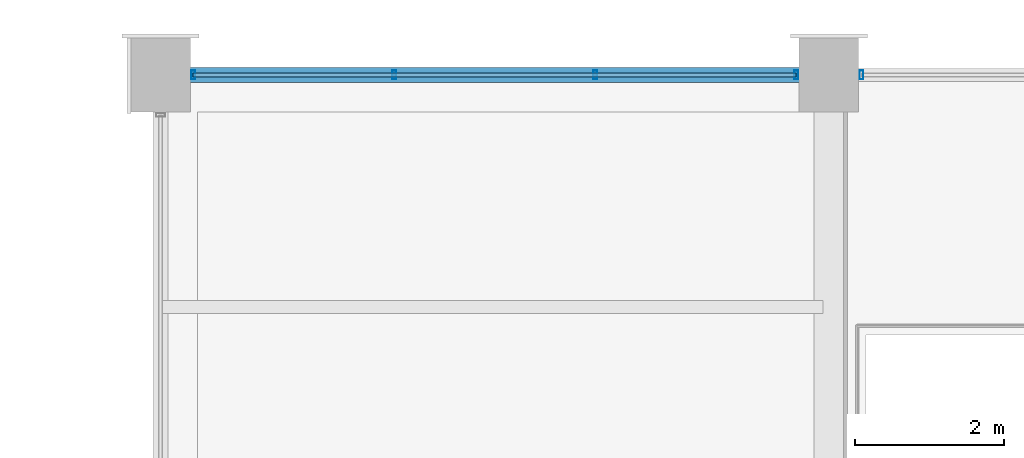
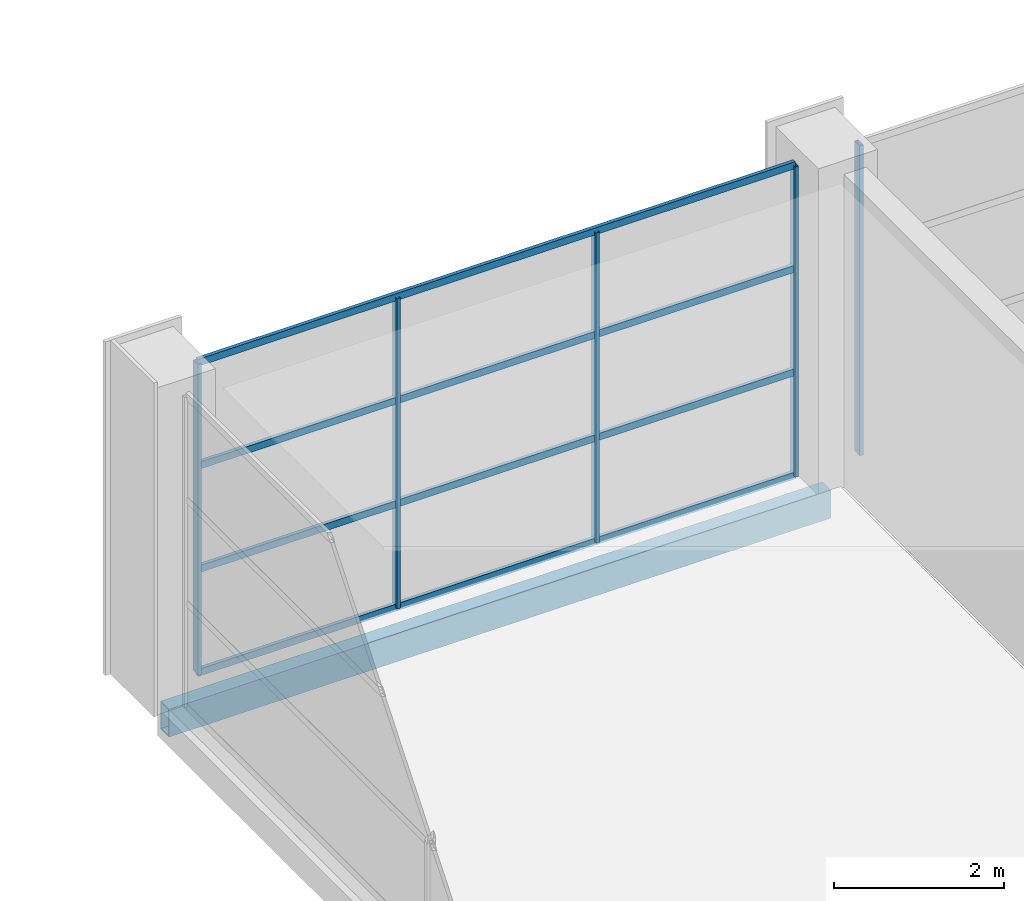
# One storey, part 81 of 112: 9 members, 1 beam, 2 elements without a shape of their own.
"""IFC4 building model written with IfcOpenShell, lengths in metres."""

from ifc_helpers import new_model, si_unit, direction, frame, origin, origin_2d, place, context, subcontext, project, spatial, hollow_rectangle, extrude, material, material_profile, profile_set, type_object, element, aggregate, save


model = new_model("IFC4")

# Units and contexts
model_context = context("Model", 3, precision=1e-05, world=origin(), true_north=direction((0.0, 1.0)))
body_context = subcontext(model_context, "Body", "Model", "MODEL_VIEW")
ifc_project = project(units=[si_unit("LENGTHUNIT", "METRE"), si_unit("AREAUNIT", "SQUARE_METRE"), si_unit("VOLUMEUNIT", "CUBIC_METRE"), si_unit("PLANEANGLEUNIT", "RADIAN"), si_unit("MASSUNIT", "GRAM", prefix="KILO")], contexts=[model_context])

# Site, building, storey
site_placement = place(None, origin())
site = spatial("IfcSite", under=ifc_project, at=site_placement, CompositionType="ELEMENT")
building_placement = place(site_placement, origin())
building = spatial("IfcBuilding", under=site, at=building_placement, Name="Solvikara Media Centre", CompositionType="ELEMENT")
storey_placement = place(building_placement, frame((0.0, 0.0, 5.39990234375)))
storey = spatial("IfcBuildingStorey", under=building, at=storey_placement, Name="L01", CompositionType="ELEMENT", Elevation=5.39990234375)

# Beam
ifc_material_1 = material(Name="Steel S355JR", Category="steel")
ifc_material_profile_1 = material_profile(ifc_material_1, hollow_rectangle(XDim=0.199951171875, YDim=0.39990234375, WallThickness=0.011962890625, at=origin_2d()), Name="RHS 400x200x12")
ifc_profile_set_1 = profile_set([ifc_material_profile_1], Name="Steel S355JR")
beam_type = type_object("IfcBeamType", Name="BM-33", PredefinedType="SPANDREL", material=ifc_profile_set_1)
beam_placement = place(storey_placement, frame((127.5, 114.0, -0.501953125), z_axis=(1.0, 0.0, 0.0), x_axis=(0.0, 1.0, 0.0)))
element("IfcBeam", 1, at=beam_placement, inside=storey, type_object=beam_type, Name="B-L01-X0531", PredefinedType="SPANDREL", context=body_context, shape_type="SweptSolid", body=[
    extrude(hollow_rectangle(XDim=0.199951171875, YDim=0.39990234375, WallThickness=0.011962890625, at=origin_2d()), origin(), (0.0, 0.0, 1.0), 9.0),
])

# Curtain wall, members
ifc_material_2 = material(Name="Anodised aluminium EN AW-6063", Category="aluminium")
curtain_wall_type = type_object("IfcCurtainWallType", Name="CW-12", PredefinedType="NOTDEFINED", material=ifc_material_2)
curtain_wall_1_placement = place(storey_placement, origin())
curtain_wall_1 = element("IfcCurtainWall", 2, at=curtain_wall_1_placement, inside=storey, type_object=curtain_wall_type, Name="CW-L01-V2N-S1", PredefinedType="NOTDEFINED")
ifc_material_profile_2 = material_profile(ifc_material_2, hollow_rectangle(XDim=0.050048828125, YDim=0.1201171875, WallThickness=0.0029296875, at=origin_2d()), Name="ALU-M 50x120x3")
ifc_profile_set_2 = profile_set([ifc_material_profile_2], Name="Anodised aluminium EN AW-6063")
member_type_1 = type_object("IfcMemberType", Name="MF-06", PredefinedType="MULLION", material=ifc_profile_set_2)
member_1_placement = place(storey_placement, frame((127.93994140625, 114.0, 0.02001953125), z_axis=(0.0, 0.0, 1.0), x_axis=(1.0, 0.0, 0.0)))
member_1 = element("IfcMember", 3, at=member_1_placement, type_object=member_type_1, Name="CW-L01-V2N-S1-M00", PredefinedType="MULLION", context=body_context, shape_type="SweptSolid", body=[
    extrude(hollow_rectangle(XDim=0.050048828125, YDim=0.1201171875, WallThickness=0.0029296875, at=origin_2d()), origin(), (0.0, 0.0, 1.0), 4.4599609375),
])
member_2_placement = place(storey_placement, frame((130.64697265625, 114.0, 0.02001953125), z_axis=(0.0, 0.0, 1.0), x_axis=(1.0, 0.0, 0.0)))
member_2 = element("IfcMember", 4, at=member_2_placement, type_object=member_type_1, Name="CW-L01-V2N-S1-M01", PredefinedType="MULLION", context=body_context, shape_type="SweptSolid", body=[
    extrude(hollow_rectangle(XDim=0.050048828125, YDim=0.1201171875, WallThickness=0.0029296875, at=origin_2d()), origin(), (0.0, 0.0, 1.0), 4.4599609375),
])
member_3_placement = place(storey_placement, frame((133.35302734375, 114.0, 0.02001953125), z_axis=(0.0, 0.0, 1.0), x_axis=(1.0, 0.0, 0.0)))
member_3 = element("IfcMember", 5, at=member_3_placement, type_object=member_type_1, Name="CW-L01-V2N-S1-M02", PredefinedType="MULLION", context=body_context, shape_type="SweptSolid", body=[
    extrude(hollow_rectangle(XDim=0.050048828125, YDim=0.1201171875, WallThickness=0.0029296875, at=origin_2d()), origin(), (0.0, 0.0, 1.0), 4.4599609375),
])
member_4_placement = place(storey_placement, frame((136.06005859375, 114.0, 0.02001953125), z_axis=(0.0, 0.0, 1.0), x_axis=(1.0, 0.0, 0.0)))
member_4 = element("IfcMember", 6, at=member_4_placement, type_object=member_type_1, Name="CW-L01-V2N-S1-M03", PredefinedType="MULLION", context=body_context, shape_type="SweptSolid", body=[
    extrude(hollow_rectangle(XDim=0.050048828125, YDim=0.1201171875, WallThickness=0.0029296875, at=origin_2d()), origin(), (0.0, 0.0, 1.0), 4.4599609375),
])

# Curtain wall, member
curtain_wall_2_placement = place(storey_placement, origin())
curtain_wall_2 = element("IfcCurtainWall", 7, at=curtain_wall_2_placement, inside=storey, type_object=curtain_wall_type, Name="CW-L01-V2N-S2", PredefinedType="NOTDEFINED")
member_5_placement = place(storey_placement, frame((136.93994140625, 114.0, 0.02001953125), z_axis=(0.0, 0.0, 1.0), x_axis=(1.0, 0.0, 0.0)))
member_5 = element("IfcMember", 8, at=member_5_placement, type_object=member_type_1, Name="CW-L01-V2N-S2-M00", PredefinedType="MULLION", context=body_context, shape_type="SweptSolid", body=[
    extrude(hollow_rectangle(XDim=0.050048828125, YDim=0.1201171875, WallThickness=0.0029296875, at=origin_2d()), origin(), (0.0, 0.0, 1.0), 4.4599609375),
])
aggregate(curtain_wall_2, [member_5])

# Member
ifc_material_profile_3 = material_profile(ifc_material_2, hollow_rectangle(XDim=0.050048828125, YDim=0.10009765625, WallThickness=0.0029296875, at=origin_2d()), Name="ALU-T 50x100x3")
ifc_profile_set_3 = profile_set([ifc_material_profile_3], Name="Anodised aluminium EN AW-6063")
member_type_2 = type_object("IfcMemberType", Name="MF-12", PredefinedType="USERDEFINED", material=ifc_profile_set_3)
member_6_placement = place(storey_placement, frame((127.93994140625, 114.0, 0.02001953125), z_axis=(1.0, 0.0, 0.0), x_axis=(0.0, 1.0, 0.0)))
member_6 = element("IfcMember", 9, at=member_6_placement, type_object=member_type_2, Name="CW-L01-V2N-S1-T00", ObjectType="TRANSOM", PredefinedType="USERDEFINED", context=body_context, shape_type="SweptSolid", body=[
    extrude(hollow_rectangle(XDim=0.050048828125, YDim=0.10009765625, WallThickness=0.0029296875, at=origin_2d()), origin(), (0.0, 0.0, 1.0), 8.1201171875),
])

member_7_placement = place(storey_placement, frame((127.93994140625, 114.0, 1.507080078125), z_axis=(1.0, 0.0, 0.0), x_axis=(0.0, 1.0, 0.0)))
member_7 = element("IfcMember", 10, at=member_7_placement, type_object=member_type_2, Name="CW-L01-V2N-S1-T01", ObjectType="TRANSOM", PredefinedType="USERDEFINED", context=body_context, shape_type="SweptSolid", body=[
    extrude(hollow_rectangle(XDim=0.050048828125, YDim=0.10009765625, WallThickness=0.0029296875, at=origin_2d()), origin(), (0.0, 0.0, 1.0), 8.1201171875),
])

member_8_placement = place(storey_placement, frame((127.93994140625, 114.0, 2.9931640625), z_axis=(1.0, 0.0, 0.0), x_axis=(0.0, 1.0, 0.0)))
member_8 = element("IfcMember", 11, at=member_8_placement, type_object=member_type_2, Name="CW-L01-V2N-S1-T02", ObjectType="TRANSOM", PredefinedType="USERDEFINED", context=body_context, shape_type="SweptSolid", body=[
    extrude(hollow_rectangle(XDim=0.050048828125, YDim=0.10009765625, WallThickness=0.0029296875, at=origin_2d()), origin(), (0.0, 0.0, 1.0), 8.1201171875),
])

member_9_placement = place(storey_placement, frame((127.93994140625, 114.0, 4.47998046875), z_axis=(1.0, 0.0, 0.0), x_axis=(0.0, 1.0, 0.0)))
member_9 = element("IfcMember", 12, at=member_9_placement, type_object=member_type_2, Name="CW-L01-V2N-S1-T03", ObjectType="TRANSOM", PredefinedType="USERDEFINED", context=body_context, shape_type="SweptSolid", body=[
    extrude(hollow_rectangle(XDim=0.050048828125, YDim=0.10009765625, WallThickness=0.0029296875, at=origin_2d()), origin(), (0.0, 0.0, 1.0), 8.1201171875),
])

aggregate(curtain_wall_1, [member_1, member_2, member_3, member_4, member_6, member_7, member_8, member_9])

save(model, "model.ifc")
